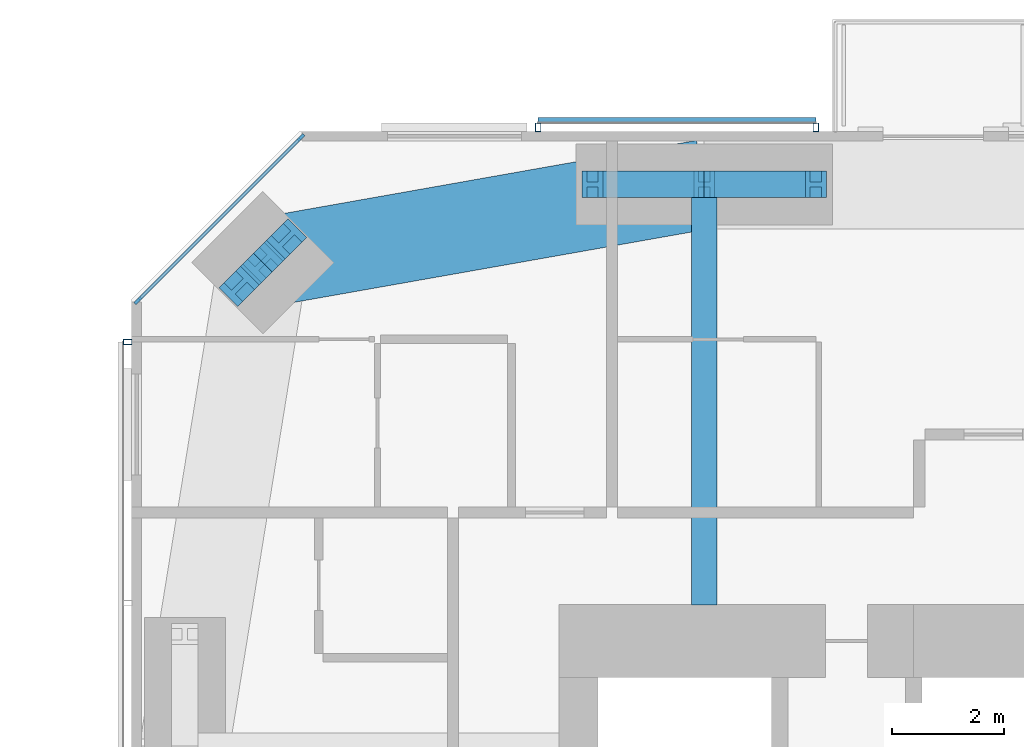
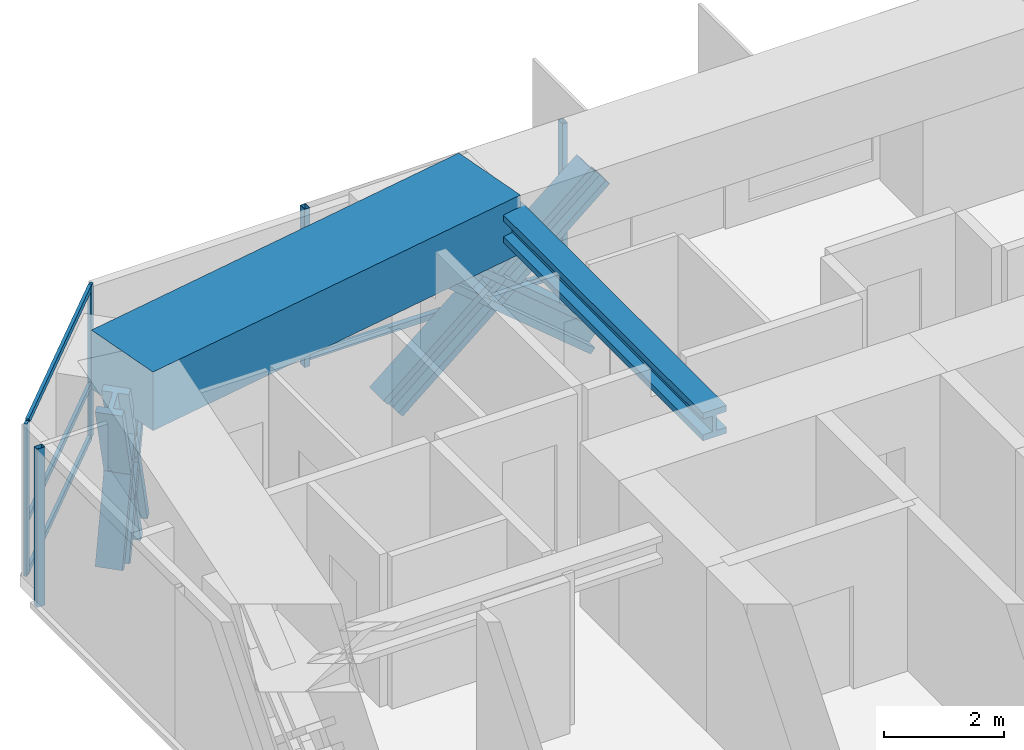
# One storey, part 10 of 22: 17 members, 2 beams, 3 elements without a shape of their own.
"""IFC4 building model written with IfcOpenShell, lengths in metres."""

import ifcopenshell
import ifcopenshell.guid

model = None  # the IFC model being written
_history = None  # IfcOwnerHistory: only IFC2X3 demands one
_inside = {}  # id of a spatial element -> (the spatial element, [elements in it])
_under = {}  # id of a project, library or spatial element -> (it, [spatial elements below it])
_declared = {}  # id of a project -> (the project, [libraries it declares])
_typed = {}  # id of a type object -> (the type object, [elements of that type])
_made_of = {}  # id of a material, layer set ... -> (it, [elements and type objects made of it])


def new_model(schema):
    """Start an empty IFC model of exactly this schema.

    Asked for "IFC4X3", IfcOpenShell would pick the latest addendum, in which some entities
    have other attributes; the version numbers below select the first issue.
    IFC2X3 requires an IfcOwnerHistory on every rooted entity: one is made here for all.
    """
    global model, _history
    if schema == "IFC4X3":
        model = ifcopenshell.file(schema_version=(4, 3, 0, 0))
    else:
        model = ifcopenshell.file(schema=schema)
    _inside.clear()
    _under.clear()
    _declared.clear()
    _typed.clear()
    _made_of.clear()
    _history = None
    if model.schema == "IFC2X3":
        org = make("IfcOrganization", Name="unknown")
        user = make(
            "IfcPersonAndOrganization",
            ThePerson=make("IfcPerson", FamilyName="unknown"),
            TheOrganization=org,
        )
        app = make(
            "IfcApplication",
            ApplicationDeveloper=org,
            Version="unknown",
            ApplicationFullName="unknown",
            ApplicationIdentifier="unknown",
        )
        _history = make(
            "IfcOwnerHistory",
            OwningUser=user,
            OwningApplication=app,
            ChangeAction="ADDED",
            CreationDate=0,
        )
    return model


def make(cls, **values):
    """One entity of the class cls with the attributes given. An attribute that is None is left unset."""
    return model.create_entity(
        cls, **{name: value for name, value in values.items() if value is not None}
    )


def rooted(cls, **values):
    """An entity with a GlobalId (a new one), such as an element, a storey or a relation."""
    return make(cls, GlobalId=ifcopenshell.guid.new(), OwnerHistory=_history, **values)


def si_unit(unit_type, name, prefix=None):
    """IfcSIUnit, for example si_unit("LENGTHUNIT", "METRE", prefix="MILLI")."""
    return make("IfcSIUnit", UnitType=unit_type, Prefix=prefix, Name=name)


def assignment(units):
    """IfcUnitAssignment: the units of a project."""
    return None if units is None else make("IfcUnitAssignment", Units=units)


def point(xyz):
    """IfcCartesianPoint."""
    return None if xyz is None else make("IfcCartesianPoint", Coordinates=xyz)


def direction(xyz):
    """IfcDirection."""
    return None if xyz is None else make("IfcDirection", DirectionRatios=xyz)


def frame(location, z_axis=None, x_axis=None):
    """IfcAxis2Placement3D, a coordinate frame: its origin and axes. An axis left out is left unset."""
    return make(
        "IfcAxis2Placement3D",
        Location=point(location),
        Axis=direction(z_axis),
        RefDirection=direction(x_axis),
    )


def frame_2d(location, x_axis=None):
    """IfcAxis2Placement2D, a coordinate frame in the plane: its origin and x axis."""
    return make(
        "IfcAxis2Placement2D", Location=point(location), RefDirection=direction(x_axis)
    )


def origin():
    """The frame at (0, 0, 0) with its axes left unset."""
    return frame((0.0, 0.0, 0.0))


def origin_2d():
    """The frame at (0, 0) in the plane with its x axis left unset."""
    return frame_2d((0.0, 0.0))


def place(relative_to, where):
    """IfcLocalPlacement: puts the frame where relative to a parent placement (None: the world)."""
    return make(
        "IfcLocalPlacement", PlacementRelTo=relative_to, RelativePlacement=where
    )


def context(
    kind, dimensions, precision=None, world=None, true_north=None, identifier=None
):
    """IfcGeometricRepresentationContext, for example the 3D "Model" context."""
    return make(
        "IfcGeometricRepresentationContext",
        ContextIdentifier=identifier,
        ContextType=kind,
        CoordinateSpaceDimension=dimensions,
        Precision=precision,
        WorldCoordinateSystem=world,
        TrueNorth=true_north,
    )


def subcontext(parent, identifier, kind, view, scale=None):
    """IfcGeometricRepresentationSubContext, for example "Body" below "Model"."""
    return make(
        "IfcGeometricRepresentationSubContext",
        ContextIdentifier=identifier,
        ContextType=kind,
        ParentContext=parent,
        TargetScale=scale,
        TargetView=view,
    )


def project(units=None, contexts=None):
    """IfcProject with its units and contexts."""
    return rooted(
        "IfcProject",
        Name="project",
        RepresentationContexts=contexts,
        UnitsInContext=assignment(units),
    )


def spatial(cls, under=None, at=None, **own):
    """A site, building, storey or space (cls), placed at a placement, below another one or the project."""
    s = rooted(cls, ObjectPlacement=at, **own)
    if under is not None:
        _under.setdefault(under.id(), (under, []))[1].append(s)
    return s


def profile(cls, at=None, kind="AREA", **sizes):
    """A parametric profile (cls). Its sizes go by their IFC names, for example OverallWidth=200.0."""
    return make(cls, ProfileType=kind, Position=at, **sizes)


def rectangle(**sizes):
    """IfcRectangleProfileDef."""
    return profile("IfcRectangleProfileDef", **sizes)


def hollow_rectangle(**sizes):
    """IfcRectangleHollowProfileDef."""
    return profile("IfcRectangleHollowProfileDef", **sizes)


def i_section(**sizes):
    """IfcIShapeProfileDef."""
    return profile("IfcIShapeProfileDef", **sizes)


def extrude(swept, where, along, depth):
    """IfcExtrudedAreaSolid: the profile swept, set in the frame where, extruded along a direction by depth."""
    return make(
        "IfcExtrudedAreaSolid",
        SweptArea=swept,
        Position=where,
        ExtrudedDirection=direction(along),
        Depth=depth,
    )


def shape(context_of_items, identifier, shape_type, items):
    """IfcShapeRepresentation: the items that make up one representation, for example the "Body"."""
    return make(
        "IfcShapeRepresentation",
        ContextOfItems=context_of_items,
        RepresentationIdentifier=identifier,
        RepresentationType=shape_type,
        Items=items,
    )


def material(Name=None, Category=None):
    """IfcMaterial."""
    return make("IfcMaterial", Name=Name, Category=Category)


def material_profile(
    of_material, cross_section, Name=None, Category=None, Priority=None
):
    """IfcMaterialProfile: a cross section and its material."""
    return make(
        "IfcMaterialProfile",
        Name=Name,
        Material=of_material,
        Profile=cross_section,
        Priority=Priority,
        Category=Category,
    )


def profile_set(profiles, Name=None, composite=None):
    """IfcMaterialProfileSet."""
    return make(
        "IfcMaterialProfileSet",
        Name=Name,
        MaterialProfiles=profiles,
        CompositeProfile=composite,
    )


def made_of(thing, what):
    """Note that an element or type object is made of a material, layer set ...; save() writes the relation."""
    if what is not None:
        _made_of.setdefault(what.id(), (what, []))[1].append(thing)
    return thing


def type_object(cls, material=None, **own):
    """A type object (cls), such as IfcWallType, which elements share."""
    return made_of(rooted(cls, **own), material)


def element(
    cls,
    number,
    at=None,
    inside=None,
    cuts=None,
    type_object=None,
    material=None,
    context=None,
    identifier="Body",
    shape_type=None,
    held_by="IfcProductDefinitionShape",
    body=None,
    shapes=None,
    **own,
):
    """One element of the class cls, such as IfcWall. Its Tag is "e" and its number.

    at: its placement. inside: the storey or other place that contains it. cuts: it is an
    opening in that element (IfcRelVoidsElement). A single representation is given by context,
    identifier, shape_type and body (its items); several are given by shapes. held_by: the class
    of the entity that holds the representations. save() writes the other relations.
    """
    e = rooted(cls, Tag="e%d" % number, ObjectPlacement=at, **own)
    if body is not None:
        shapes = [shape(context, identifier, shape_type, body)]
    if shapes is not None:
        e.Representation = make(held_by, Representations=shapes)
    if inside is not None:
        _inside.setdefault(inside.id(), (inside, []))[1].append(e)
    if cuts is not None:
        rooted(
            "IfcRelVoidsElement", RelatingBuildingElement=cuts, RelatedOpeningElement=e
        )
    if type_object is not None:
        _typed.setdefault(type_object.id(), (type_object, []))[1].append(e)
    return made_of(e, material)


def aggregate(whole, parts):
    """IfcRelAggregates: a whole, such as a stair, and the parts it consists of."""
    return rooted("IfcRelAggregates", RelatingObject=whole, RelatedObjects=parts)


def save(model, path):
    """Write the relations noted so far, then the file.

    IfcRelAggregates (storeys below a building ...), IfcRelContainedInSpatialStructure (elements
    in a storey), IfcRelDefinesByType, IfcRelAssociatesMaterial and IfcRelDeclares: one each for
    every whole, place, type object, material and project.
    """
    for whole, parts in _under.values():
        aggregate(whole, parts)
    for where, things in _inside.values():
        rooted(
            "IfcRelContainedInSpatialStructure",
            RelatedElements=things,
            RelatingStructure=where,
        )
    for kind, things in _typed.values():
        rooted("IfcRelDefinesByType", RelatedObjects=things, RelatingType=kind)
    for what, things in _made_of.values():
        rooted("IfcRelAssociatesMaterial", RelatedObjects=things, RelatingMaterial=what)
    for by, libraries in _declared.values():
        rooted("IfcRelDeclares", RelatingContext=by, RelatedDefinitions=libraries)
    model.write(path)


model = new_model("IFC4")

# Units and contexts
model_context = context("Model", 3, precision=1e-05, world=origin(), true_north=direction((0.0, 1.0)))
body_context = subcontext(model_context, "Body", "Model", "MODEL_VIEW")
ifc_project = project(units=[si_unit("LENGTHUNIT", "METRE"), si_unit("AREAUNIT", "SQUARE_METRE"), si_unit("VOLUMEUNIT", "CUBIC_METRE"), si_unit("PLANEANGLEUNIT", "RADIAN"), si_unit("MASSUNIT", "GRAM", prefix="KILO")], contexts=[model_context])

# Site, building, storey
site_placement = place(None, origin())
site = spatial("IfcSite", under=ifc_project, at=site_placement, CompositionType="ELEMENT")
building_placement = place(site_placement, origin())
building = spatial("IfcBuilding", under=site, at=building_placement, Name="Jalousie Tower", CompositionType="ELEMENT")
storey_placement = place(building_placement, frame((0.0, 0.0, 161.050048828125)))
storey = spatial("IfcBuildingStorey", under=building, at=storey_placement, Name="L43", CompositionType="ELEMENT", Elevation=161.050048828125)

# Curtain wall, members
ifc_material_1 = material(Name="Aluminium curtain wall", Category="aluminium")
curtain_wall_type_1 = type_object("IfcCurtainWallType", Name="CORNER WINDOW WALL", PredefinedType="USERDEFINED", material=ifc_material_1)
curtain_wall_1_placement = place(storey_placement, origin())
curtain_wall_1 = element("IfcCurtainWall", 1, at=curtain_wall_1_placement, inside=storey, type_object=curtain_wall_type_1, Name="Corner Window Wall L43 6", ObjectType="CORNER WINDOW WALL", PredefinedType="USERDEFINED")
ifc_material_2 = material(Name="Aluminium mullion", Category="aluminium")
ifc_material_profile_1 = material_profile(ifc_material_2, rectangle(XDim=0.06005859375, YDim=0.14990234375, at=origin_2d()), Name="MULLION 60x150")
ifc_profile_set_1 = profile_set([ifc_material_profile_1], Name="Aluminium mullion")
member_type_1 = type_object("IfcMemberType", Name="CORNER WINDOW WALL MULLION", PredefinedType="MULLION", material=ifc_profile_set_1)
member_1_placement = place(storey_placement, frame((15.030029296875, 35.891357421875, 0.0), z_axis=(0.0, 0.0, 1.0), x_axis=(0.707106781187, -0.707106781187, 0.0)))
member_1 = element("IfcMember", 2, at=member_1_placement, type_object=member_type_1, Name="CW-C mullion 1", PredefinedType="MULLION", context=body_context, shape_type="SweptSolid", body=[
    extrude(rectangle(XDim=0.06005859375, YDim=0.14990234375, at=origin_2d()), origin(), (0.0, 0.0, 1.0), 3.10986328125),
])
member_2_placement = place(storey_placement, frame((12.108642578125, 32.969970703125, 0.0), z_axis=(0.0, 0.0, 1.0), x_axis=(0.707106781187, -0.707106781187, 0.0)))
member_2 = element("IfcMember", 3, at=member_2_placement, type_object=member_type_1, Name="CW-C mullion 2", PredefinedType="MULLION", context=body_context, shape_type="SweptSolid", body=[
    extrude(rectangle(XDim=0.06005859375, YDim=0.14990234375, at=origin_2d()), origin(), (0.0, 0.0, 1.0), 3.10986328125),
])
ifc_material_3 = material(Name="Aluminium transom", Category="aluminium")
ifc_material_profile_2 = material_profile(ifc_material_3, rectangle(XDim=0.06005859375, YDim=0.1201171875, at=origin_2d()), Name="TRANSOM 60x120")
ifc_profile_set_2 = profile_set([ifc_material_profile_2], Name="Aluminium transom")
member_type_2 = type_object("IfcMemberType", Name="CORNER WINDOW WALL TRANSOM", PredefinedType="USERDEFINED", material=ifc_profile_set_2)
member_3_placement = place(storey_placement, frame((15.0087890625, 35.8701171875, 0.030029296875), z_axis=(-0.707106781187, -0.707106781187, 0.0), x_axis=(0.707106781187, -0.707106781187, 0.0)))
member_3 = element("IfcMember", 4, at=member_3_placement, type_object=member_type_2, Name="CW-C transom 1.1", ObjectType="TRANSOM", PredefinedType="USERDEFINED", context=body_context, shape_type="SweptSolid", body=[
    extrude(rectangle(XDim=0.06005859375, YDim=0.1201171875, at=origin_2d()), origin(), (0.0, 0.0, 1.0), 4.0712890625),
])
member_4_placement = place(storey_placement, frame((15.0087890625, 35.8701171875, 1.099853515625), z_axis=(-0.707106781187, -0.707106781187, 0.0), x_axis=(0.707106781187, -0.707106781187, 0.0)))
member_4 = element("IfcMember", 5, at=member_4_placement, type_object=member_type_2, Name="CW-C transom 1.2", ObjectType="TRANSOM", PredefinedType="USERDEFINED", context=body_context, shape_type="SweptSolid", body=[
    extrude(rectangle(XDim=0.06005859375, YDim=0.1201171875, at=origin_2d()), origin(), (0.0, 0.0, 1.0), 4.0712890625),
])
member_5_placement = place(storey_placement, frame((15.0087890625, 35.8701171875, 3.079833984375), z_axis=(-0.707106781187, -0.707106781187, 0.0), x_axis=(0.707106781187, -0.707106781187, 0.0)))
member_5 = element("IfcMember", 6, at=member_5_placement, type_object=member_type_2, Name="CW-C transom 1.3", ObjectType="TRANSOM", PredefinedType="USERDEFINED", context=body_context, shape_type="SweptSolid", body=[
    extrude(rectangle(XDim=0.06005859375, YDim=0.1201171875, at=origin_2d()), origin(), (0.0, 0.0, 1.0), 4.0712890625),
])
aggregate(curtain_wall_1, [member_1, member_2, member_3, member_4, member_5])

# Beam
ifc_material_4 = material(Name="Steel ASTM A992 Grade 50", Category="steel")
ifc_material_profile_3 = material_profile(ifc_material_4, i_section(OverallWidth=0.45458984375, OverallDepth=0.569091796875, WebThickness=0.077880859375, FlangeThickness=0.124755859375, at=origin_2d()), Name="W14X730")
ifc_profile_set_3 = profile_set([ifc_material_profile_3], Name="Steel ASTM A992 Grade 50")
beam_type_1 = type_object("IfcBeamType", Name="LEAN COLLECTOR W14X730", PredefinedType="BEAM", material=ifc_profile_set_3)
beam_1_placement = place(storey_placement, frame((22.25, 35.050048828125, 2.825439453125), z_axis=(0.0, -1.0, 0.0), x_axis=(1.0, 0.0, 0.0)))
element("IfcBeam", 7, at=beam_1_placement, inside=storey, type_object=beam_type_1, Name="Lean collector under L44", PredefinedType="BEAM", context=body_context, shape_type="SweptSolid", body=[
    extrude(i_section(OverallWidth=0.45458984375, OverallDepth=0.569091796875, WebThickness=0.077880859375, FlangeThickness=0.124755859375, at=origin_2d()), origin(), (0.0, 0.0, 1.0), 7.525146484375),
])

# Members
ifc_material_5 = material(Name="Steel ASTM A992 Grade 50", Category="steel")
ifc_material_profile_4 = material_profile(ifc_material_5, i_section(OverallWidth=0.472412109375, OverallDepth=0.5791015625, WebThickness=0.094970703125, FlangeThickness=0.1298828125, at=origin_2d()), Name="W14X808")
ifc_profile_set_4 = profile_set([ifc_material_profile_4], Name="Steel ASTM A992 Grade 50")
member_type_3 = type_object("IfcMemberType", Name="PERIMETER BRACE W14X808", PredefinedType="BRACE", material=ifc_profile_set_4)
for number, where, z_axis, x_axis, name in (
    (8, (20.25, 35.050048828125, -0.60009765625), (0.766638753323, 0.0, 0.642078672674), (0.0, 1.0, 0.0), "Perimeter brace 11 L43 part 1"),
    (9, (22.25, 35.050048828125, 1.074951171875), (0.766638753323, 0.0, 0.642078672674), (0.0, 1.0, 0.0), "Perimeter brace 11 L43 part 2"),
    (10, (24.25, 35.050048828125, -0.60009765625), (-0.766638753323, 0.0, 0.642078672674), (0.0, -1.0, 0.0), "Perimeter brace 11 L43 part 3"),
    (11, (22.25, 35.050048828125, 1.074951171875), (-0.766638753323, 0.0, 0.642078672674), (0.0, -1.0, 0.0), "Perimeter brace 11 L43 part 4"),
):
    element("IfcMember", number, at=place(storey_placement, frame(where, z_axis=z_axis, x_axis=x_axis)), inside=storey, type_object=member_type_3, Name=name, PredefinedType="BRACE", context=body_context, shape_type="SweptSolid", body=[
        extrude(i_section(OverallWidth=0.472412109375, OverallDepth=0.5791015625, WebThickness=0.094970703125, FlangeThickness=0.1298828125, at=origin_2d()), origin(), (0.0, 0.0, 1.0), 2.60888671875),
    ])
for number, where, z_axis, x_axis, name in (
    (12, (14.772705078125, 34.07568359375, -0.60009765625), (-0.238482757655, -0.238345540878, 0.941444303953), (0.706903267951, -0.707310235866, 0.0), "Perimeter brace 12 L43 part 1"),
    (13, (14.348388671875, 33.651611328125, 1.074951171875), (-0.238345540878, -0.238482757655, 0.941444303953), (0.707310235866, -0.706903267951, 0.0), "Perimeter brace 12 L43 part 2"),
    (14, (13.92431640625, 33.227294921875, -0.60009765625), (0.238345540878, 0.238482757655, 0.941444303953), (-0.707310235866, 0.706903267951, 0.0), "Perimeter brace 12 L43 part 3"),
    (15, (14.348388671875, 33.651611328125, 1.074951171875), (0.238482757655, 0.238345540878, 0.941444303953), (-0.706903267951, 0.707310235866, 0.0), "Perimeter brace 12 L43 part 4"),
):
    element("IfcMember", number, at=place(storey_placement, frame(where, z_axis=z_axis, x_axis=x_axis)), inside=storey, type_object=member_type_3, Name=name, PredefinedType="BRACE", context=body_context, shape_type="SweptSolid", body=[
        extrude(i_section(OverallWidth=0.472412109375, OverallDepth=0.5791015625, WebThickness=0.094970703125, FlangeThickness=0.1298828125, at=origin_2d()), origin(), (0.0, 0.0, 1.0), 1.779296875),
    ])

# Beam
ifc_material_6 = material(Name="Concrete f'c 40 MPa", Category="concrete")
ifc_material_profile_5 = material_profile(ifc_material_6, rectangle(XDim=1.60009765625, YDim=1.199951171875, at=origin_2d()), Name="RC 1600x1200")
ifc_profile_set_5 = profile_set([ifc_material_profile_5], Name="Concrete f'c 40 MPa")
beam_type_2 = type_object("IfcBeamType", Name="RC BEAM 1600x1200", PredefinedType="BEAM", material=ifc_profile_set_5)
beam_2_placement = place(storey_placement, frame((22.25, 35.050048828125, 2.75), z_axis=(-0.984697370688, -0.174273027632, 0.0), x_axis=(0.174273027632, -0.984697370688, 0.0)))
element("IfcBeam", 16, at=beam_2_placement, inside=storey, type_object=beam_type_2, Name="Edge band beam 11-12 under L44", PredefinedType="BEAM", context=body_context, shape_type="SweptSolid", body=[
    extrude(rectangle(XDim=1.60009765625, YDim=1.199951171875, at=origin_2d()), origin(), (0.0, 0.0, 1.0), 8.0244140625),
])

# Curtain wall, members
ifc_material_7 = material(Name="Perforated aluminium sheet", Category="aluminium")
curtain_wall_type_2 = type_object("IfcCurtainWallType", Name="SOLAR SCREEN SS-1", PredefinedType="USERDEFINED", material=ifc_material_7)
curtain_wall_2_placement = place(storey_placement, origin())
curtain_wall_2 = element("IfcCurtainWall", 17, at=curtain_wall_2_placement, inside=storey, type_object=curtain_wall_type_2, Name="Solar screen L43", ObjectType="SOLAR SCREEN SS-1", PredefinedType="USERDEFINED")
ifc_material_8 = material(Name="Steel ASTM A500 Grade C", Category="steel")
ifc_material_profile_6 = material_profile(ifc_material_8, hollow_rectangle(XDim=0.1015625, YDim=0.15234375, WallThickness=0.00634765625, at=origin_2d()), Name="HSS6X4X1/4")
ifc_profile_set_6 = profile_set([ifc_material_profile_6], Name="Steel ASTM A500 Grade C")
member_type_4 = type_object("IfcMemberType", Name="SOLAR SCREEN SS-1 MULLION", PredefinedType="MULLION", material=ifc_profile_set_6)
member_6_placement = place(storey_placement, frame((24.25, 36.0712890625, -0.1201171875), z_axis=(0.0, 0.0, 1.0), x_axis=(-1.0, 0.0, 0.0)))
member_6 = element("IfcMember", 18, at=member_6_placement, type_object=member_type_4, Name="SS1 post 1", PredefinedType="MULLION", context=body_context, shape_type="SweptSolid", body=[
    extrude(hollow_rectangle(XDim=0.1015625, YDim=0.15234375, WallThickness=0.00634765625, at=origin_2d()), origin(), (0.0, 0.0, 1.0), 3.22998046875),
])
member_7_placement = place(storey_placement, frame((19.275634765625, 36.0712890625, -0.1201171875), z_axis=(0.0, 0.0, 1.0), x_axis=(-1.0, 0.0, 0.0)))
member_7 = element("IfcMember", 19, at=member_7_placement, type_object=member_type_4, Name="SS1 post 2", PredefinedType="MULLION", context=body_context, shape_type="SweptSolid", body=[
    extrude(hollow_rectangle(XDim=0.1015625, YDim=0.15234375, WallThickness=0.00634765625, at=origin_2d()), origin(), (0.0, 0.0, 1.0), 3.22998046875),
])

# Curtain wall, member
curtain_wall_3_placement = place(storey_placement, origin())
curtain_wall_3 = element("IfcCurtainWall", 20, at=curtain_wall_3_placement, inside=storey, type_object=curtain_wall_type_2, Name="Solar screen L43", ObjectType="SOLAR SCREEN SS-1", PredefinedType="USERDEFINED")
member_8_placement = place(storey_placement, frame((11.9287109375, 32.228759765625, -0.1201171875), z_axis=(0.0, 0.0, 1.0), x_axis=(0.0, -1.0, 0.0)))
member_8 = element("IfcMember", 21, at=member_8_placement, type_object=member_type_4, Name="SS1 post 1", PredefinedType="MULLION", context=body_context, shape_type="SweptSolid", body=[
    extrude(hollow_rectangle(XDim=0.1015625, YDim=0.15234375, WallThickness=0.00634765625, at=origin_2d()), origin(), (0.0, 0.0, 1.0), 3.22998046875),
])
aggregate(curtain_wall_3, [member_8])

# Member
ifc_material_9 = material(Name="Extruded aluminium screen rail", Category="aluminium")
ifc_material_profile_7 = material_profile(ifc_material_9, rectangle(XDim=0.1015625, YDim=0.1201171875, at=origin_2d()), Name="RAIL 102x120")
ifc_profile_set_7 = profile_set([ifc_material_profile_7], Name="Extruded aluminium screen rail")
member_type_5 = type_object("IfcMemberType", Name="SOLAR SCREEN SS-1 TRANSOM", PredefinedType="USERDEFINED", material=ifc_profile_set_7)
member_9_placement = place(storey_placement, frame((24.25, 36.1982421875, -0.06005859375), z_axis=(-1.0, 0.0, 0.0), x_axis=(0.0, -1.0, 0.0)))
member_9 = element("IfcMember", 22, at=member_9_placement, type_object=member_type_5, Name="SS1 rail", ObjectType="TRANSOM", PredefinedType="USERDEFINED", context=body_context, shape_type="SweptSolid", body=[
    extrude(rectangle(XDim=0.1015625, YDim=0.1201171875, at=origin_2d()), origin(), (0.0, 0.0, 1.0), 4.974365234375),
])

aggregate(curtain_wall_2, [member_6, member_7, member_9])

save(model, "model.ifc")
